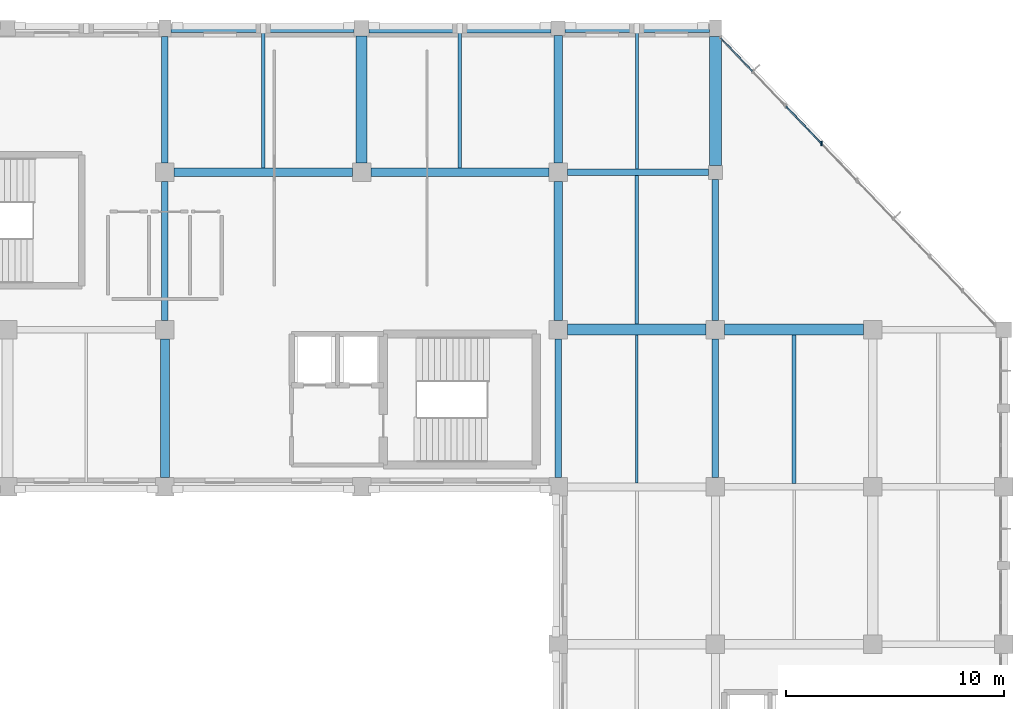
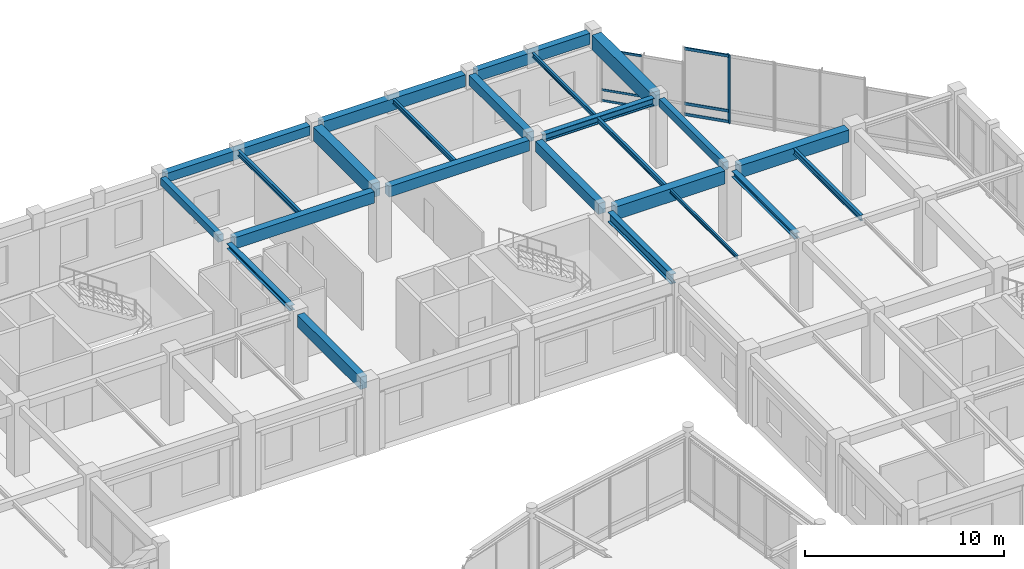
# One storey, part 28 of 62: 24 beams, 7 members, 2 elements without a shape of their own.
"""IFC4 building model written with IfcOpenShell, lengths in metres."""

from ifc_helpers import new_model, si_unit, direction, frame, origin, origin_2d, place, context, subcontext, project, spatial, rectangle, i_section, extrude, material, material_profile, profile_set, type_object, element, aggregate, save


model = new_model("IFC4")

# Units and contexts
model_context = context("Model", 3, precision=1e-05, world=origin(), true_north=direction((0.0, 1.0)))
body_context = subcontext(model_context, "Body", "Model", "MODEL_VIEW")
ifc_project = project(units=[si_unit("LENGTHUNIT", "METRE"), si_unit("AREAUNIT", "SQUARE_METRE"), si_unit("VOLUMEUNIT", "CUBIC_METRE"), si_unit("PLANEANGLEUNIT", "RADIAN"), si_unit("MASSUNIT", "GRAM", prefix="KILO")], contexts=[model_context])

# Site, building, storey
site_placement = place(None, origin())
site = spatial("IfcSite", under=ifc_project, at=site_placement, CompositionType="ELEMENT")
building_placement = place(site_placement, origin())
building = spatial("IfcBuilding", under=site, at=building_placement, Name="Clarverna Civic Hall", CompositionType="ELEMENT")
storey_placement = place(building_placement, frame((0.0, 0.0, 5.10009765625)))
storey = spatial("IfcBuildingStorey", under=building, at=storey_placement, Name="L01", CompositionType="ELEMENT", Elevation=5.10009765625)

# Beams
ifc_material_1 = material(Name="Concrete C35/45", Category="concrete")
ifc_material_profile_1 = material_profile(ifc_material_1, rectangle(XDim=0.5, YDim=0.85009765625, at=origin_2d()), Name="RC 500x850")
ifc_profile_set_1 = profile_set([ifc_material_profile_1], Name="Concrete C35/45")
beam_type_1 = type_object("IfcBeamType", Name="B-RC1", PredefinedType="BEAM", material=ifc_profile_set_1)
beam_1_placement = place(storey_placement, frame((138.60009765625, 109.824951171875, 3.794921875), z_axis=(0.0, 1.0, 0.0), x_axis=(-1.0, 0.0, 0.0)))
element("IfcBeam", 1, at=beam_1_placement, inside=storey, type_object=beam_type_1, Name="B-RC1-021", PredefinedType="BEAM", context=body_context, shape_type="SweptSolid", body=[
    extrude(rectangle(XDim=0.5, YDim=0.85009765625, at=origin_2d()), origin(), (0.0, 0.0, 1.0), 5.824951171875),
])
ifc_material_profile_2 = material_profile(ifc_material_1, rectangle(XDim=0.300048828125, YDim=0.5, at=origin_2d()), Name="RC 300x500")
ifc_profile_set_2 = profile_set([ifc_material_profile_2], Name="Concrete C35/45")
beam_type_2 = type_object("IfcBeamType", Name="B-RC12", PredefinedType="BEAM", material=ifc_profile_set_2)
beam_2_placement = place(storey_placement, frame((154.800048828125, 102.625, 3.969970703125), z_axis=(0.0, 1.0, 0.0), x_axis=(-1.0, 0.0, 0.0)))
element("IfcBeam", 2, at=beam_2_placement, inside=storey, type_object=beam_type_2, Name="B-RC12-037", PredefinedType="BEAM", context=body_context, shape_type="SweptSolid", body=[
    extrude(rectangle(XDim=0.300048828125, YDim=0.5, at=origin_2d()), origin(), (0.0, 0.0, 1.0), 6.449951171875),
])
ifc_material_profile_3 = material_profile(ifc_material_1, rectangle(XDim=0.550048828125, YDim=0.89990234375, at=origin_2d()), Name="RC 550x900")
ifc_profile_set_3 = profile_set([ifc_material_profile_3], Name="Concrete C35/45")
beam_type_3 = type_object("IfcBeamType", Name="B-RC13", PredefinedType="BEAM", material=ifc_profile_set_3)
beam_3_placement = place(storey_placement, frame((154.800048828125, 109.72509765625, 3.77001953125), z_axis=(0.0, 1.0, 0.0), x_axis=(-1.0, 0.0, 0.0)))
element("IfcBeam", 3, at=beam_3_placement, inside=storey, type_object=beam_type_3, Name="B-RC13-026", PredefinedType="BEAM", context=body_context, shape_type="SweptSolid", body=[
    extrude(rectangle(XDim=0.550048828125, YDim=0.89990234375, at=origin_2d()), origin(), (0.0, 0.0, 1.0), 5.89990234375),
])
ifc_material_profile_4 = material_profile(ifc_material_1, rectangle(XDim=0.5, YDim=0.800048828125, at=origin_2d()), Name="RC 500x800")
ifc_profile_set_4 = profile_set([ifc_material_profile_4], Name="Concrete C35/45")
beam_type_4 = type_object("IfcBeamType", Name="B-RC14", PredefinedType="BEAM", material=ifc_profile_set_4)
beam_4_placement = place(storey_placement, frame((148.02490234375, 102.199951171875, 3.81982421875), z_axis=(1.0, 0.0, 0.0), x_axis=(0.0, 1.0, 0.0)))
element("IfcBeam", 4, at=beam_4_placement, inside=storey, type_object=beam_type_4, Name="B-RC14-024", PredefinedType="BEAM", context=body_context, shape_type="SweptSolid", body=[
    extrude(rectangle(XDim=0.5, YDim=0.800048828125, at=origin_2d()), origin(), (0.0, 0.0, 1.0), 6.35009765625),
])
ifc_material_profile_5 = material_profile(ifc_material_1, rectangle(XDim=0.5, YDim=0.75, at=origin_2d()), Name="RC 500x750")
ifc_profile_set_5 = profile_set([ifc_material_profile_5], Name="Concrete C35/45")
beam_type_5 = type_object("IfcBeamType", Name="B-RC15", PredefinedType="BEAM", material=ifc_profile_set_5)
beam_5_placement = place(storey_placement, frame((155.22509765625, 102.199951171875, 3.844970703125), z_axis=(1.0, 0.0, 0.0), x_axis=(0.0, 1.0, 0.0)))
element("IfcBeam", 5, at=beam_5_placement, inside=storey, type_object=beam_type_5, Name="B-RC15-028", PredefinedType="BEAM", context=body_context, shape_type="SweptSolid", body=[
    extrude(rectangle(XDim=0.5, YDim=0.75, at=origin_2d()), origin(), (0.0, 0.0, 1.0), 6.349853515625),
])
ifc_material_profile_6 = material_profile(ifc_material_1, rectangle(XDim=0.39990234375, YDim=0.75, at=origin_2d()), Name="RC 400x750")
ifc_profile_set_6 = profile_set([ifc_material_profile_6], Name="Concrete C35/45")
beam_type_6 = type_object("IfcBeamType", Name="B-RC16", PredefinedType="BEAM", material=ifc_profile_set_6)
beam_6_placement = place(storey_placement, frame((129.60009765625, 95.425048828125, 3.844970703125), z_axis=(0.0, 1.0, 0.0), x_axis=(-1.0, 0.0, 0.0)))
element("IfcBeam", 6, at=beam_6_placement, inside=storey, type_object=beam_type_6, Name="B-RC16-024", PredefinedType="BEAM", context=body_context, shape_type="SweptSolid", body=[
    extrude(rectangle(XDim=0.39990234375, YDim=0.75, at=origin_2d()), origin(), (0.0, 0.0, 1.0), 6.349853515625),
])
ifc_material_profile_7 = material_profile(ifc_material_1, rectangle(XDim=0.300048828125, YDim=0.449951171875, at=origin_2d()), Name="RC 300x450")
ifc_profile_set_7 = profile_set([ifc_material_profile_7], Name="Concrete C35/45")
beam_type_7 = type_object("IfcBeamType", Name="B-RC18", PredefinedType="BEAM", material=ifc_profile_set_7)
beam_7_placement = place(storey_placement, frame((129.60009765625, 109.824951171875, 3.994873046875), z_axis=(0.0, 1.0, 0.0), x_axis=(-1.0, 0.0, 0.0)))
element("IfcBeam", 7, at=beam_7_placement, inside=storey, type_object=beam_type_7, Name="B-RC18-031", PredefinedType="BEAM", context=body_context, shape_type="SweptSolid", body=[
    extrude(rectangle(XDim=0.300048828125, YDim=0.449951171875, at=origin_2d()), origin(), (0.0, 0.0, 1.0), 5.800048828125),
])
ifc_material_profile_8 = material_profile(ifc_material_1, rectangle(XDim=0.39990234375, YDim=0.699951171875, at=origin_2d()), Name="RC 400x700")
ifc_profile_set_8 = profile_set([ifc_material_profile_8], Name="Concrete C35/45")
beam_type_8 = type_object("IfcBeamType", Name="B-RC5", PredefinedType="BEAM", material=ifc_profile_set_8)
beam_8_placement = place(storey_placement, frame((130.02490234375, 109.39990234375, 3.869873046875), z_axis=(1.0, 0.0, 0.0), x_axis=(0.0, 1.0, 0.0)))
element("IfcBeam", 8, at=beam_8_placement, inside=storey, type_object=beam_type_8, Name="B-RC5-026", PredefinedType="BEAM", context=body_context, shape_type="SweptSolid", body=[
    extrude(rectangle(XDim=0.39990234375, YDim=0.699951171875, at=origin_2d()), origin(), (0.0, 0.0, 1.0), 8.150146484375),
])
ifc_material_profile_9 = material_profile(ifc_material_1, rectangle(XDim=0.39990234375, YDim=0.64990234375, at=origin_2d()), Name="RC 400x650")
ifc_profile_set_9 = profile_set([ifc_material_profile_9], Name="Concrete C35/45")
beam_type_9 = type_object("IfcBeamType", Name="B-RC6", PredefinedType="BEAM", material=ifc_profile_set_9)
beam_9_placement = place(storey_placement, frame((139.02490234375, 109.39990234375, 3.89501953125), z_axis=(1.0, 0.0, 0.0), x_axis=(0.0, 1.0, 0.0)))
element("IfcBeam", 9, at=beam_9_placement, inside=storey, type_object=beam_type_9, Name="B-RC6-030", PredefinedType="BEAM", context=body_context, shape_type="SweptSolid", body=[
    extrude(rectangle(XDim=0.39990234375, YDim=0.64990234375, at=origin_2d()), origin(), (0.0, 0.0, 1.0), 8.150146484375),
])
beam_10_placement = place(storey_placement, frame((147.60009765625, 102.625, 3.89501953125), z_axis=(0.0, 1.0, 0.0), x_axis=(-1.0, 0.0, 0.0)))
element("IfcBeam", 10, at=beam_10_placement, inside=storey, type_object=beam_type_9, Name="B-RC6-033", PredefinedType="BEAM", context=body_context, shape_type="SweptSolid", body=[
    extrude(rectangle(XDim=0.39990234375, YDim=0.64990234375, at=origin_2d()), origin(), (0.0, 0.0, 1.0), 6.35009765625),
])
ifc_material_profile_10 = material_profile(ifc_material_1, rectangle(XDim=0.39990234375, YDim=0.60009765625, at=origin_2d()), Name="RC 400x600")
ifc_profile_set_10 = profile_set([ifc_material_profile_10], Name="Concrete C35/45")
beam_type_10 = type_object("IfcBeamType", Name="B-RC7", PredefinedType="BEAM", material=ifc_profile_set_10)
beam_11_placement = place(storey_placement, frame((147.60009765625, 109.824951171875, 3.919921875), z_axis=(0.0, 1.0, 0.0), x_axis=(-1.0, 0.0, 0.0)))
element("IfcBeam", 11, at=beam_11_placement, inside=storey, type_object=beam_type_10, Name="B-RC7-025", PredefinedType="BEAM", context=body_context, shape_type="SweptSolid", body=[
    extrude(rectangle(XDim=0.39990234375, YDim=0.60009765625, at=origin_2d()), origin(), (0.0, 0.0, 1.0), 5.85009765625),
])
ifc_material_profile_11 = material_profile(ifc_material_1, rectangle(XDim=0.419921875, YDim=0.719970703125, at=origin_2d()), Name="RC 420x720")
ifc_profile_set_11 = profile_set([ifc_material_profile_11], Name="Concrete C35/45")
beam_type_11 = type_object("IfcBeamType", Name="B-SP1", PredefinedType="SPANDREL", material=ifc_profile_set_11)
beam_12_placement = place(storey_placement, frame((138.949951171875, 116.0, 3.85986328125), z_axis=(1.0, 0.0, 0.0), x_axis=(0.0, 1.0, 0.0)))
element("IfcBeam", 12, at=beam_12_placement, inside=storey, type_object=beam_type_11, Name="B-SP1-068", PredefinedType="SPANDREL", context=body_context, shape_type="SweptSolid", body=[
    extrude(rectangle(XDim=0.419921875, YDim=0.719970703125, at=origin_2d()), origin(), (0.0, 0.0, 1.0), 8.324951171875),
])
ifc_material_profile_12 = material_profile(ifc_material_1, rectangle(XDim=0.3798828125, YDim=0.679931640625, at=origin_2d()), Name="RC 380x680")
ifc_profile_set_12 = profile_set([ifc_material_profile_12], Name="Concrete C35/45")
beam_type_12 = type_object("IfcBeamType", Name="B-SP2", PredefinedType="SPANDREL", material=ifc_profile_set_12)
beam_13_placement = place(storey_placement, frame((147.925048828125, 116.0, 3.8798828125), z_axis=(1.0, 0.0, 0.0), x_axis=(0.0, 1.0, 0.0)))
element("IfcBeam", 13, at=beam_13_placement, inside=storey, type_object=beam_type_12, Name="B-SP2-070", PredefinedType="SPANDREL", context=body_context, shape_type="SweptSolid", body=[
    extrude(rectangle(XDim=0.3798828125, YDim=0.679931640625, at=origin_2d()), origin(), (0.0, 0.0, 1.0), 6.599853515625),
])
ifc_material_profile_13 = material_profile(ifc_material_1, rectangle(XDim=0.39990234375, YDim=0.56005859375, at=origin_2d()), Name="RC 400x560")
ifc_profile_set_13 = profile_set([ifc_material_profile_13], Name="Concrete C35/45")
beam_type_13 = type_object("IfcBeamType", Name="B-SP4", PredefinedType="SPANDREL", material=ifc_profile_set_13)
beam_14_placement = place(storey_placement, frame((129.875, 116.0, 3.93994140625), z_axis=(1.0, 0.0, 0.0), x_axis=(0.0, 1.0, 0.0)))
element("IfcBeam", 14, at=beam_14_placement, inside=storey, type_object=beam_type_13, Name="B-SP4-066", PredefinedType="SPANDREL", context=body_context, shape_type="SweptSolid", body=[
    extrude(rectangle(XDim=0.39990234375, YDim=0.56005859375, at=origin_2d()), origin(), (0.0, 0.0, 1.0), 8.375),
])
ifc_material_2 = material(Name="Steel S355", Category="steel")
ifc_material_profile_14 = material_profile(ifc_material_2, i_section(OverallWidth=0.300048828125, OverallDepth=0.60009765625, WebThickness=0.015380859375, FlangeThickness=0.030029296875, FilletRadius=0.027099609375, at=origin_2d()), Name="HEB 600")
ifc_profile_set_14 = profile_set([ifc_material_profile_14], Name="Steel S355")
beam_type_14 = type_object("IfcBeamType", Name="B-ST1", PredefinedType="BEAM", material=ifc_profile_set_14)
beam_15_placement = place(storey_placement, frame((147.60009765625, 95.425048828125, 3.919921875), z_axis=(0.0, 1.0, 0.0), x_axis=(-1.0, 0.0, 0.0)))
element("IfcBeam", 15, at=beam_15_placement, inside=storey, type_object=beam_type_14, Name="B-ST1-009", PredefinedType="BEAM", context=body_context, shape_type="SweptSolid", body=[
    extrude(i_section(OverallWidth=0.300048828125, OverallDepth=0.60009765625, WebThickness=0.015380859375, FlangeThickness=0.030029296875, FilletRadius=0.027099609375, at=origin_2d()), origin(), (0.0, 0.0, 1.0), 6.349853515625),
])
ifc_material_profile_15 = material_profile(ifc_material_2, i_section(OverallWidth=0.300048828125, OverallDepth=0.449951171875, WebThickness=0.013916015625, FlangeThickness=0.02587890625, FilletRadius=0.027099609375, at=origin_2d()), Name="HEB 450")
ifc_profile_set_15 = profile_set([ifc_material_profile_15], Name="Steel S355")
beam_type_15 = type_object("IfcBeamType", Name="B-ST3", PredefinedType="BEAM", material=ifc_profile_set_15)
beam_16_placement = place(storey_placement, frame((148.02490234375, 109.39990234375, 3.994873046875), z_axis=(1.0, 0.0, 0.0), x_axis=(0.0, 1.0, 0.0)))
element("IfcBeam", 16, at=beam_16_placement, inside=storey, type_object=beam_type_15, Name="B-ST3-005", PredefinedType="BEAM", context=body_context, shape_type="SweptSolid", body=[
    extrude(i_section(OverallWidth=0.300048828125, OverallDepth=0.449951171875, WebThickness=0.013916015625, FlangeThickness=0.02587890625, FilletRadius=0.027099609375, at=origin_2d()), origin(), (0.0, 0.0, 1.0), 6.4501953125),
])
ifc_material_profile_16 = material_profile(ifc_material_2, i_section(OverallWidth=0.300048828125, OverallDepth=0.35009765625, WebThickness=0.010009765625, FlangeThickness=0.017578125, FilletRadius=0.027099609375, at=origin_2d()), Name="HEA 360")
ifc_profile_set_16 = profile_set([ifc_material_profile_16], Name="Steel S355")
beam_type_16 = type_object("IfcBeamType", Name="B-ST7", PredefinedType="BEAM", material=ifc_profile_set_16)
beam_17_placement = place(storey_placement, frame((154.800048828125, 95.425048828125, 4.044921875), z_axis=(0.0, 1.0, 0.0), x_axis=(-1.0, 0.0, 0.0)))
element("IfcBeam", 17, at=beam_17_placement, inside=storey, type_object=beam_type_16, Name="B-ST7-009", PredefinedType="BEAM", context=body_context, shape_type="SweptSolid", body=[
    extrude(i_section(OverallWidth=0.300048828125, OverallDepth=0.35009765625, WebThickness=0.010009765625, FlangeThickness=0.017578125, FilletRadius=0.027099609375, at=origin_2d()), origin(), (0.0, 0.0, 1.0), 6.349853515625),
])
ifc_material_profile_17 = material_profile(ifc_material_2, i_section(OverallWidth=0.300048828125, OverallDepth=0.31005859375, WebThickness=0.009033203125, FlangeThickness=0.015380859375, FilletRadius=0.027099609375, at=origin_2d()), Name="HEA 320")
ifc_profile_set_17 = profile_set([ifc_material_profile_17], Name="Steel S355")
beam_type_17 = type_object("IfcBeamType", Name="B-ST9", PredefinedType="BEAM", material=ifc_profile_set_17)
beam_18_placement = place(storey_placement, frame((129.60009765625, 102.625, 4.06494140625), z_axis=(0.0, 1.0, 0.0), x_axis=(-1.0, 0.0, 0.0)))
element("IfcBeam", 18, at=beam_18_placement, inside=storey, type_object=beam_type_17, Name="B-ST9-055", PredefinedType="BEAM", context=body_context, shape_type="SweptSolid", body=[
    extrude(i_section(OverallWidth=0.300048828125, OverallDepth=0.31005859375, WebThickness=0.009033203125, FlangeThickness=0.015380859375, FilletRadius=0.027099609375, at=origin_2d()), origin(), (0.0, 0.0, 1.0), 6.35009765625),
])

# Curtain wall, member
ifc_material_3 = material(Name="Anodised Bronze Architectural Aluminium", Category="aluminium")
curtain_wall_type = type_object("IfcCurtainWallType", Name="CW-01", PredefinedType="USERDEFINED", material=ifc_material_3)
curtain_wall_1_placement = place(storey_placement, origin())
curtain_wall_1 = element("IfcCurtainWall", 19, at=curtain_wall_1_placement, inside=storey, type_object=curtain_wall_type, Name="CW-01-003", ObjectType="UNITISED CURTAIN WALL", PredefinedType="USERDEFINED")
ifc_material_profile_18 = material_profile(ifc_material_3, rectangle(XDim=0.06494140625, YDim=0.199951171875, at=origin_2d()), Name="BRONZE 65x200")
ifc_profile_set_18 = profile_set([ifc_material_profile_18], Name="Anodised Bronze Architectural Aluminium")
member_type_1 = type_object("IfcMemberType", Name="CWM-03", PredefinedType="MULLION", material=ifc_profile_set_18)
member_1_placement = place(storey_placement, frame((159.648681640625, 110.728271484375, 0.0), z_axis=(0.0, 0.0, 1.0), x_axis=(1.0, 0.0, 0.0)))
member_1 = element("IfcMember", 20, at=member_1_placement, type_object=member_type_1, Name="CWM-03-039", PredefinedType="MULLION", context=body_context, shape_type="SweptSolid", body=[
    extrude(rectangle(XDim=0.06494140625, YDim=0.199951171875, at=origin_2d()), origin(), (0.0, 0.0, 1.0), 4.219970703125),
])

# Curtain wall, members
curtain_wall_2_placement = place(storey_placement, origin())
curtain_wall_2 = element("IfcCurtainWall", 21, at=curtain_wall_2_placement, inside=storey, type_object=curtain_wall_type, Name="CW-01-002", ObjectType="UNITISED CURTAIN WALL", PredefinedType="USERDEFINED")
ifc_material_profile_19 = material_profile(ifc_material_3, rectangle(XDim=0.06005859375, YDim=0.1298828125, at=origin_2d()), Name="BRONZE 60x130")
ifc_profile_set_19 = profile_set([ifc_material_profile_19], Name="Anodised Bronze Architectural Aluminium")
member_type_2 = type_object("IfcMemberType", Name="CWT-02", PredefinedType="USERDEFINED", material=ifc_profile_set_19)
member_2_placement = place(storey_placement, frame((155.036376953125, 115.55029296875, 0.094970703125), z_axis=(0.691148870064, -0.722712418193, 0.0), x_axis=(0.722712418193, 0.691148870064, 0.0)))
member_2 = element("IfcMember", 22, at=member_2_placement, type_object=member_type_2, Name="CWT-02-076", ObjectType="TRANSOM", PredefinedType="USERDEFINED", context=body_context, shape_type="SweptSolid", body=[
    extrude(rectangle(XDim=0.06005859375, YDim=0.1298828125, at=origin_2d()), origin(), (0.0, 0.0, 1.0), 2.10400390625),
])
member_3_placement = place(storey_placement, frame((155.036376953125, 115.55029296875, 0.75), z_axis=(0.691148870064, -0.722712418193, 0.0), x_axis=(0.722712418193, 0.691148870064, 0.0)))
member_3 = element("IfcMember", 23, at=member_3_placement, type_object=member_type_2, Name="CWT-02-077", ObjectType="TRANSOM", PredefinedType="USERDEFINED", context=body_context, shape_type="SweptSolid", body=[
    extrude(rectangle(XDim=0.06005859375, YDim=0.1298828125, at=origin_2d()), origin(), (0.0, 0.0, 1.0), 2.10400390625),
])
member_4_placement = place(storey_placement, frame((155.036376953125, 115.55029296875, 3.224853515625), z_axis=(0.691148870064, -0.722712418193, 0.0), x_axis=(0.722712418193, 0.691148870064, 0.0)))
member_4 = element("IfcMember", 24, at=member_4_placement, type_object=member_type_2, Name="CWT-02-078", ObjectType="TRANSOM", PredefinedType="USERDEFINED", context=body_context, shape_type="SweptSolid", body=[
    extrude(rectangle(XDim=0.06005859375, YDim=0.1298828125, at=origin_2d()), origin(), (0.0, 0.0, 1.0), 2.10400390625),
])
aggregate(curtain_wall_2, [member_2, member_3, member_4])

# Member
ifc_material_profile_20 = material_profile(ifc_material_3, rectangle(XDim=0.06494140625, YDim=0.169921875, at=origin_2d()), Name="BRONZE 65x170")
ifc_profile_set_20 = profile_set([ifc_material_profile_20], Name="Anodised Bronze Architectural Aluminium")
member_type_3 = type_object("IfcMemberType", Name="CWT-03", PredefinedType="USERDEFINED", material=ifc_profile_set_20)
member_5_placement = place(storey_placement, frame((158.031982421875, 112.418701171875, 0.094970703125), z_axis=(0.691174945329, -0.722687480831, 0.0), x_axis=(0.722687480831, 0.691174945329, 0.0)))
member_5 = element("IfcMember", 25, at=member_5_placement, type_object=member_type_3, Name="CWT-03-079", ObjectType="TRANSOM", PredefinedType="USERDEFINED", context=body_context, shape_type="SweptSolid", body=[
    extrude(rectangle(XDim=0.06494140625, YDim=0.169921875, at=origin_2d()), origin(), (0.0, 0.0, 1.0), 2.32421875),
])

member_6_placement = place(storey_placement, frame((158.031982421875, 112.418701171875, 0.75), z_axis=(0.691174945329, -0.722687480831, 0.0), x_axis=(0.722687480831, 0.691174945329, 0.0)))
member_6 = element("IfcMember", 26, at=member_6_placement, type_object=member_type_3, Name="CWT-03-080", ObjectType="TRANSOM", PredefinedType="USERDEFINED", context=body_context, shape_type="SweptSolid", body=[
    extrude(rectangle(XDim=0.06494140625, YDim=0.169921875, at=origin_2d()), origin(), (0.0, 0.0, 1.0), 2.32421875),
])

member_7_placement = place(storey_placement, frame((158.031982421875, 112.418701171875, 4.125), z_axis=(0.691174945329, -0.722687480831, 0.0), x_axis=(0.722687480831, 0.691174945329, 0.0)))
member_7 = element("IfcMember", 27, at=member_7_placement, type_object=member_type_3, Name="CWT-03-081", ObjectType="TRANSOM", PredefinedType="USERDEFINED", context=body_context, shape_type="SweptSolid", body=[
    extrude(rectangle(XDim=0.06494140625, YDim=0.169921875, at=origin_2d()), origin(), (0.0, 0.0, 1.0), 2.32421875),
])

aggregate(curtain_wall_1, [member_1, member_5, member_6, member_7])

# Beams
ifc_material_profile_21 = material_profile(ifc_material_2, i_section(OverallWidth=0.169921875, OverallDepth=0.360107421875, WebThickness=0.008056640625, FlangeThickness=0.0126953125, FilletRadius=0.01806640625, at=origin_2d()), Name="IPE 360")
ifc_profile_set_21 = profile_set([ifc_material_profile_21], Name="Steel S355")
beam_type_18 = type_object("IfcBeamType", Name="J-ST1", PredefinedType="JOIST", material=ifc_profile_set_21)
beam_19_placement = place(storey_placement, frame((158.39990234375, 95.14990234375, 4.039794921875), z_axis=(0.0, 1.0, 0.0), x_axis=(-1.0, 0.0, 0.0)))
element("IfcBeam", 28, at=beam_19_placement, inside=storey, type_object=beam_type_18, Name="J-ST1-045", PredefinedType="JOIST", context=body_context, shape_type="SweptSolid", body=[
    extrude(i_section(OverallWidth=0.169921875, OverallDepth=0.360107421875, WebThickness=0.008056640625, FlangeThickness=0.0126953125, FilletRadius=0.01806640625, at=origin_2d()), origin(), (0.0, 0.0, 1.0), 6.800048828125),
])
ifc_material_profile_22 = material_profile(ifc_material_2, i_section(OverallWidth=0.159912109375, OverallDepth=0.330078125, WebThickness=0.007568359375, FlangeThickness=0.011474609375, FilletRadius=0.01806640625, at=origin_2d()), Name="IPE 330")
ifc_profile_set_22 = profile_set([ifc_material_profile_22], Name="Steel S355")
beam_type_19 = type_object("IfcBeamType", Name="J-ST2", PredefinedType="JOIST", material=ifc_profile_set_22)
beam_20_placement = place(storey_placement, frame((134.10009765625, 109.60009765625, 4.054931640625), z_axis=(0.0, 1.0, 0.0), x_axis=(-1.0, 0.0, 0.0)))
element("IfcBeam", 29, at=beam_20_placement, inside=storey, type_object=beam_type_19, Name="J-ST2-047", PredefinedType="JOIST", context=body_context, shape_type="SweptSolid", body=[
    extrude(i_section(OverallWidth=0.159912109375, OverallDepth=0.330078125, WebThickness=0.007568359375, FlangeThickness=0.011474609375, FilletRadius=0.01806640625, at=origin_2d()), origin(), (0.0, 0.0, 1.0), 6.199951171875),
])
ifc_material_profile_23 = material_profile(ifc_material_2, i_section(OverallWidth=0.14990234375, OverallDepth=0.300048828125, WebThickness=0.007080078125, FlangeThickness=0.0107421875, FilletRadius=0.014892578125, at=origin_2d()), Name="IPE 300")
ifc_profile_set_23 = profile_set([ifc_material_profile_23], Name="Steel S355")
beam_type_20 = type_object("IfcBeamType", Name="J-ST3", PredefinedType="JOIST", material=ifc_profile_set_23)
beam_21_placement = place(storey_placement, frame((151.199951171875, 102.449951171875, 4.06982421875), z_axis=(0.0, 1.0, 0.0), x_axis=(-1.0, 0.0, 0.0)))
element("IfcBeam", 30, at=beam_21_placement, inside=storey, type_object=beam_type_20, Name="J-ST3-046", PredefinedType="JOIST", context=body_context, shape_type="SweptSolid", body=[
    extrude(i_section(OverallWidth=0.14990234375, OverallDepth=0.300048828125, WebThickness=0.007080078125, FlangeThickness=0.0107421875, FilletRadius=0.014892578125, at=origin_2d()), origin(), (0.0, 0.0, 1.0), 6.800048828125),
])
beam_22_placement = place(storey_placement, frame((143.10009765625, 109.60009765625, 4.06982421875), z_axis=(0.0, 1.0, 0.0), x_axis=(-1.0, 0.0, 0.0)))
element("IfcBeam", 31, at=beam_22_placement, inside=storey, type_object=beam_type_20, Name="J-ST3-047", PredefinedType="JOIST", context=body_context, shape_type="SweptSolid", body=[
    extrude(i_section(OverallWidth=0.14990234375, OverallDepth=0.300048828125, WebThickness=0.007080078125, FlangeThickness=0.0107421875, FilletRadius=0.014892578125, at=origin_2d()), origin(), (0.0, 0.0, 1.0), 6.18994140625),
])
ifc_material_profile_24 = material_profile(ifc_material_2, i_section(OverallWidth=0.135009765625, OverallDepth=0.27001953125, WebThickness=0.006591796875, FlangeThickness=0.01025390625, FilletRadius=0.014892578125, at=origin_2d()), Name="IPE 270")
ifc_profile_set_24 = profile_set([ifc_material_profile_24], Name="Steel S355")
beam_type_21 = type_object("IfcBeamType", Name="J-ST4", PredefinedType="JOIST", material=ifc_profile_set_24)
beam_23_placement = place(storey_placement, frame((151.199951171875, 109.550048828125, 4.0849609375), z_axis=(0.0, 1.0, 0.0), x_axis=(-1.0, 0.0, 0.0)))
element("IfcBeam", 32, at=beam_23_placement, inside=storey, type_object=beam_type_21, Name="J-ST4-049", PredefinedType="JOIST", context=body_context, shape_type="SweptSolid", body=[
    extrude(i_section(OverallWidth=0.135009765625, OverallDepth=0.27001953125, WebThickness=0.006591796875, FlangeThickness=0.01025390625, FilletRadius=0.014892578125, at=origin_2d()), origin(), (0.0, 0.0, 1.0), 6.260009765625),
])
ifc_material_profile_25 = material_profile(ifc_material_2, i_section(OverallWidth=0.110107421875, OverallDepth=0.219970703125, WebThickness=0.005859375, FlangeThickness=0.00927734375, FilletRadius=0.011962890625, at=origin_2d()), Name="IPE 220")
ifc_profile_set_25 = profile_set([ifc_material_profile_25], Name="Steel S355")
beam_type_22 = type_object("IfcBeamType", Name="J-ST6", PredefinedType="JOIST", material=ifc_profile_set_25)
beam_24_placement = place(storey_placement, frame((151.199951171875, 95.175048828125, 4.10986328125), z_axis=(0.0, 1.0, 0.0), x_axis=(-1.0, 0.0, 0.0)))
element("IfcBeam", 33, at=beam_24_placement, inside=storey, type_object=beam_type_22, Name="J-ST6-045", PredefinedType="JOIST", context=body_context, shape_type="SweptSolid", body=[
    extrude(i_section(OverallWidth=0.110107421875, OverallDepth=0.219970703125, WebThickness=0.005859375, FlangeThickness=0.00927734375, FilletRadius=0.011962890625, at=origin_2d()), origin(), (0.0, 0.0, 1.0), 6.77490234375),
])

save(model, "model.ifc")
